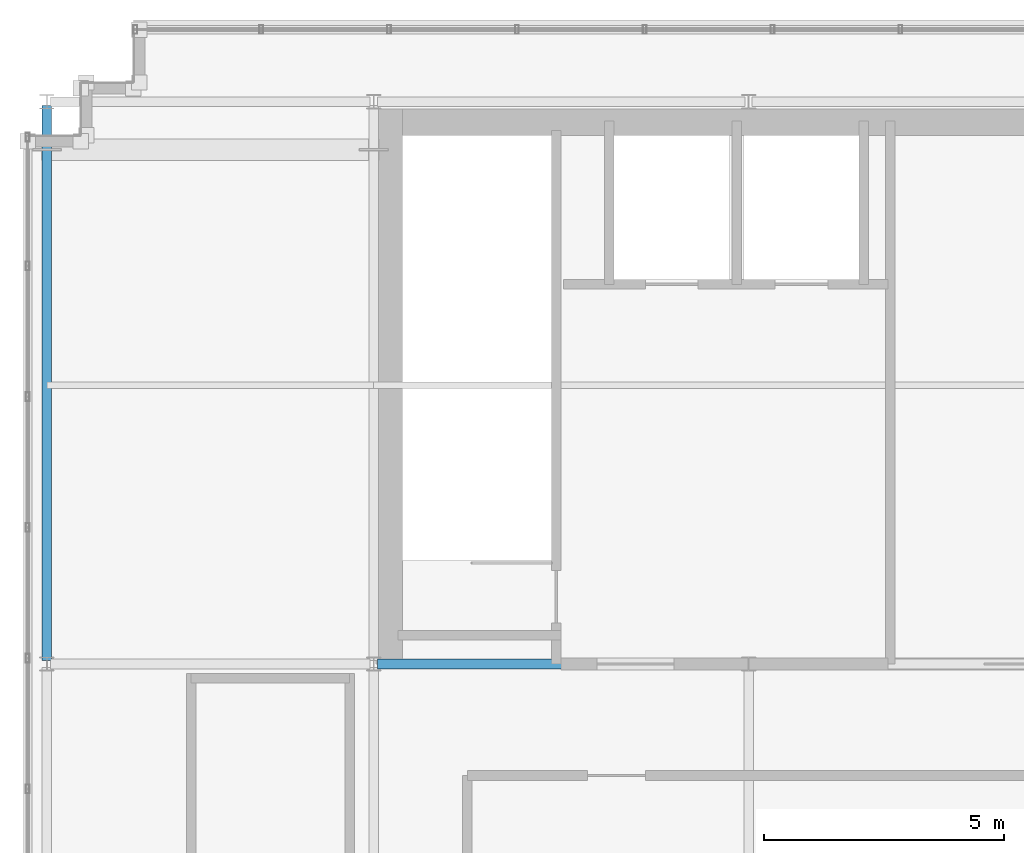
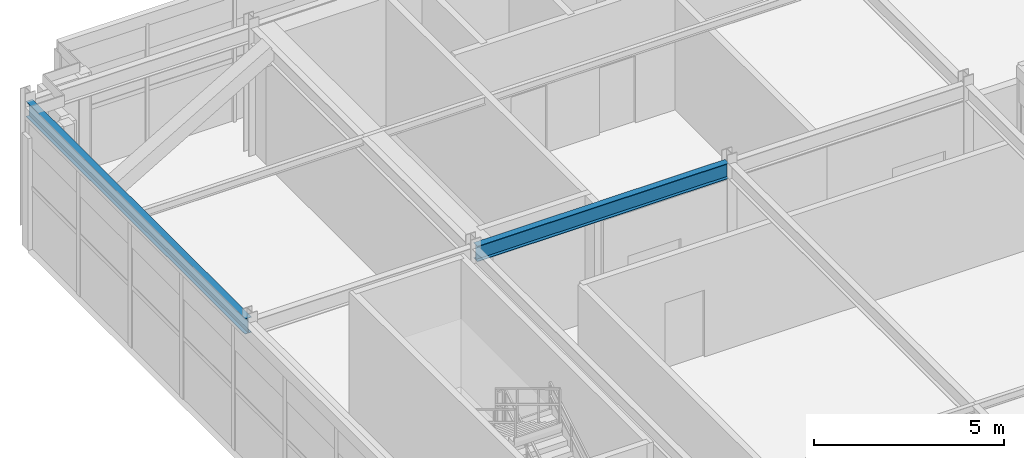
# One storey, part 10 of 37: 2 beams.
"""IFC4 building model written with IfcOpenShell, lengths in metres."""

from ifc_helpers import new_model, si_unit, direction, frame, origin, origin_2d, place, context, subcontext, project, spatial, i_section, extrude, source, transform, mapped, material, material_profile, profile_set, type_object, element, save


model = new_model("IFC4")

# Units and contexts
model_context = context("Model", 3, precision=1e-05, world=origin(), true_north=direction((0.0, 1.0)))
body_context = subcontext(model_context, "Body", "Model", "MODEL_VIEW")
ifc_project = project(units=[si_unit("LENGTHUNIT", "METRE"), si_unit("AREAUNIT", "SQUARE_METRE"), si_unit("VOLUMEUNIT", "CUBIC_METRE"), si_unit("PLANEANGLEUNIT", "RADIAN"), si_unit("MASSUNIT", "GRAM", prefix="KILO")], contexts=[model_context])

# Site, building, storey
site_placement = place(None, origin())
site = spatial("IfcSite", under=ifc_project, at=site_placement, CompositionType="ELEMENT")
building_placement = place(site_placement, origin())
building = spatial("IfcBuilding", under=site, at=building_placement, Name="Trelvane Seafront Commons", CompositionType="ELEMENT")
storey_placement = place(building_placement, frame((0.0, 0.0, 303.5)))
storey = spatial("IfcBuildingStorey", under=building, at=storey_placement, Name="L79", CompositionType="ELEMENT", Elevation=303.5)

# Beams
ifc_material = material(Name="Steel SM355 (S355)", Category="steel")
ifc_material_profile_1 = material_profile(ifc_material, i_section(OverallWidth=0.199951171875, OverallDepth=0.5, WebThickness=0.010009765625, FlangeThickness=0.01611328125, at=origin_2d()), Name="H-500x200x10x16")
ifc_profile_set_1 = profile_set([ifc_material_profile_1], Name="Steel SM355 (S355)")
beam_type_1 = type_object("IfcBeamType", Name="STR-CROWN-FRAME-RING", PredefinedType="SPANDREL", material=ifc_profile_set_1)
shared_shape_1 = source(origin(), body_context, "Body", "SweptSolid", [
    extrude(i_section(OverallWidth=0.199951171875, OverallDepth=0.5, WebThickness=0.010009765625, FlangeThickness=0.01611328125, at=origin_2d()), origin(), (0.0, 0.0, 1.0), 7.64990234375),
])
beam_1_placement = place(storey_placement, frame((15.675048828125, 33.39990234375, 3.85009765625), z_axis=(1.0, 0.0, 0.0), x_axis=(0.0, 1.0, 0.0)))
element("IfcBeam", 1, at=beam_1_placement, inside=storey, type_object=beam_type_1, Name="L79 CROWN FRAME Ring Beam G-09", PredefinedType="SPANDREL", context=body_context, shape_type="MappedRepresentation", body=[
    mapped(shared_shape_1, transform((0.0, 0.0, 0.0), x_axis=(1.0, 0.0, 0.0), y_axis=(0.0, 1.0, 0.0), z_axis=(0.0, 0.0, 1.0), scale=1.0)),
])
ifc_material_profile_2 = material_profile(ifc_material, i_section(OverallWidth=0.199951171875, OverallDepth=0.5, WebThickness=0.010009765625, FlangeThickness=0.01611328125, at=origin_2d()), Name="H-500x200x10x16")
ifc_profile_set_2 = profile_set([ifc_material_profile_2], Name="Steel SM355 (S355)")
beam_type_2 = type_object("IfcBeamType", Name="STR-BM-H500", PredefinedType="BEAM", material=ifc_profile_set_2)
shared_shape_2 = source(origin(), body_context, "Body", "SweptSolid", [
    extrude(i_section(OverallWidth=0.199951171875, OverallDepth=0.5, WebThickness=0.010009765625, FlangeThickness=0.01611328125, at=origin_2d()), origin(), (0.0, 0.0, 1.0), 11.5498046875),
])
beam_2_placement = place(storey_placement, frame((8.800048828125, 33.47509765625, 3.85009765625), z_axis=(0.0, 1.0, 0.0), x_axis=(-1.0, 0.0, 0.0)))
element("IfcBeam", 2, at=beam_2_placement, inside=storey, type_object=beam_type_2, Name="L79 Primary Girder G-23", PredefinedType="BEAM", context=body_context, shape_type="MappedRepresentation", body=[
    mapped(shared_shape_2, transform((0.0, 0.0, 0.0), x_axis=(1.0, 0.0, 0.0), y_axis=(0.0, 1.0, 0.0), z_axis=(0.0, 0.0, 1.0), scale=1.0)),
])

save(model, "model.ifc")
